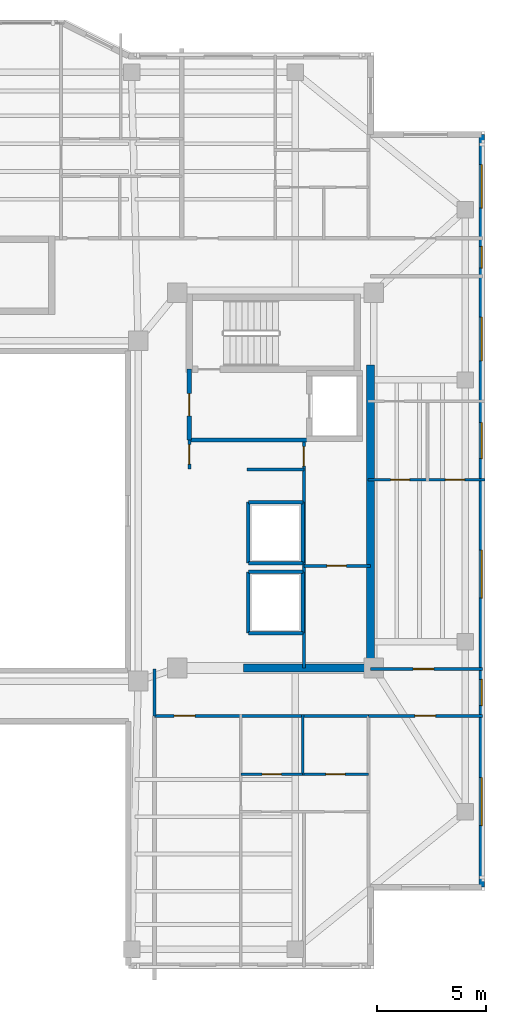
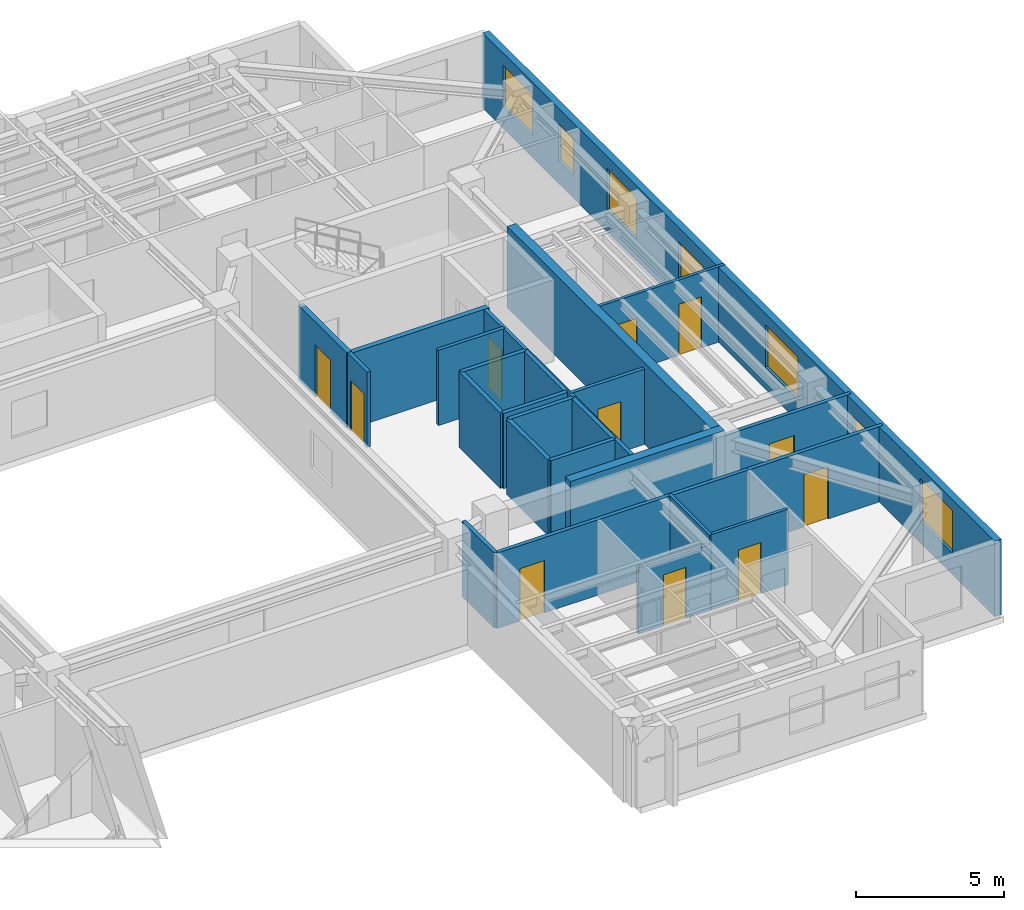
# One storey, part 6 of 12: 25 walls, 11 doors, 7 windows, 18 openings.
"""IFC4 building model written with IfcOpenShell, lengths in metres."""

from ifc_helpers import new_model, si_unit, direction, frame, frame_2d, origin, place, context, subcontext, project, spatial, rectangle, extrude, material, layer, layer_set, type_object, element, fill, save


model = new_model("IFC4")

# Units and contexts
model_context = context("Model", 3, precision=1e-05, world=origin(), true_north=direction((0.0, 1.0)))
body_context = subcontext(model_context, "Body", "Model", "MODEL_VIEW")
ifc_project = project(units=[si_unit("LENGTHUNIT", "METRE"), si_unit("AREAUNIT", "SQUARE_METRE"), si_unit("VOLUMEUNIT", "CUBIC_METRE"), si_unit("PLANEANGLEUNIT", "RADIAN"), si_unit("MASSUNIT", "GRAM", prefix="KILO")], contexts=[model_context])

# Site, building, storey
site_placement = place(None, origin())
site = spatial("IfcSite", under=ifc_project, at=site_placement, CompositionType="ELEMENT")
building_placement = place(site_placement, origin())
building = spatial("IfcBuilding", under=site, at=building_placement, Name="Tarnavaz Court Tower", CompositionType="ELEMENT")
storey_placement = place(building_placement, frame((0.0, 0.0, 200.300048828125)))
storey = spatial("IfcBuildingStorey", under=building, at=storey_placement, Name="L54", CompositionType="ELEMENT", Elevation=200.300048828125)

# Walls
ifc_material_1 = material(Name="Concrete C50/60", Category="concrete")
ifc_layer_1 = layer(ifc_material_1, 0.35009765625)
ifc_layer_set_1 = layer_set([ifc_layer_1], Name="Concrete C50/60")
wall_type_1 = type_object("IfcWallType", Name="WL-CORE-350-C50", PredefinedType="SHEAR", material=ifc_layer_set_1)
wall_1_placement = place(storey_placement, frame((18.449951171875, -7.375, 0.0), z_axis=(0.0, 0.0, 1.0), x_axis=(0.0, 1.0, 0.0)))
element("IfcWall", 1, at=wall_1_placement, inside=storey, type_object=wall_type_1, Name="L54 East Core Shear Wall 047", PredefinedType="SHEAR", context=body_context, shape_type="SweptSolid", body=[
    extrude(rectangle(XDim=14.050048828125, YDim=0.35009765625, at=frame_2d((7.02490234375, 0.0))), origin(), (0.0, 0.0, 1.0), 3.349853515625),
])
wall_2_placement = place(storey_placement, frame((12.625, -7.199951171875, 0.0), z_axis=(0.0, 0.0, 1.0), x_axis=(1.0, 0.0, 0.0)))
element("IfcWall", 2, at=wall_2_placement, inside=storey, type_object=wall_type_1, Name="L54 East Core South Shear Wall 048", PredefinedType="SHEAR", context=body_context, shape_type="SweptSolid", body=[
    extrude(rectangle(XDim=6.0, YDim=0.35009765625, at=frame_2d((3.0, 0.0))), origin(), (0.0, 0.0, 1.0), 3.349853515625),
])

# Wall, openings, windows
ifc_material_2 = material(Name="Precast Concrete C40/50", Category="concrete")
ifc_layer_2 = layer(ifc_material_2, 0.260009765625)
ifc_layer_set_2 = layer_set([ifc_layer_2], Name="Precast Concrete C40/50")
wall_type_2 = type_object("IfcWallType", Name="WL-EXT-260", PredefinedType="SOLIDWALL", material=ifc_layer_set_2)
wall_3_placement = place(storey_placement, frame((23.550048828125, 17.25, 0.0), z_axis=(0.0, 0.0, 1.0), x_axis=(0.0, -1.0, 0.0)))
wall_3 = element("IfcWall", 3, at=wall_3_placement, inside=storey, type_object=wall_type_2, Name="L54 Exterior Terracotta Facade Wall 12", PredefinedType="SOLIDWALL", context=body_context, shape_type="SweptSolid", body=[
    extrude(rectangle(XDim=34.5, YDim=0.260009765625, at=frame_2d((17.25, 0.0))), origin(), (0.0, 0.0, 1.0), 3.099853515625),
])
opening_1_placement = place(wall_3_placement, frame((1.375, 0.0, 0.89990234375)))
opening_1 = element("IfcOpeningElement", 4, at=opening_1_placement, cuts=wall_3, Name="Opening W08", PredefinedType="OPENING", context=body_context, shape_type="SweptSolid", body=[
    extrude(rectangle(XDim=2.0, YDim=1.699951171875, at=frame_2d((1.0, 0.85009765625))), frame((0.0, 0.139892578125, 0.0), z_axis=(0.0, -1.0, 0.0), x_axis=(1.0, 0.0, 0.0)), (0.0, 0.0, 1.0), 0.280029296875),
])
opening_2_placement = place(wall_3_placement, frame((5.125, 0.0, 0.949951171875)))
opening_2 = element("IfcOpeningElement", 5, at=opening_2_placement, cuts=wall_3, Name="Opening W14", PredefinedType="OPENING", context=body_context, shape_type="SweptSolid", body=[
    extrude(rectangle(XDim=1.0, YDim=1.5, at=frame_2d((0.5, 0.75))), frame((0.0, 0.139892578125, 0.0), z_axis=(0.0, -1.0, 0.0), x_axis=(1.0, 0.0, 0.0)), (0.0, 0.0, 1.0), 0.280029296875),
])
opening_3_placement = place(wall_3_placement, frame((8.375, 0.0, 0.89990234375)))
opening_3 = element("IfcOpeningElement", 6, at=opening_3_placement, cuts=wall_3, Name="Opening W08", PredefinedType="OPENING", context=body_context, shape_type="SweptSolid", body=[
    extrude(rectangle(XDim=2.0, YDim=1.699951171875, at=frame_2d((1.0, 0.85009765625))), frame((0.0, 0.139892578125, 0.0), z_axis=(0.0, -1.0, 0.0), x_axis=(1.0, 0.0, 0.0)), (0.0, 0.0, 1.0), 0.280029296875),
])
opening_4_placement = place(wall_3_placement, frame((13.199951171875, 0.0, 0.89990234375)))
opening_4 = element("IfcOpeningElement", 7, at=opening_4_placement, cuts=wall_3, Name="Opening W02", PredefinedType="OPENING", context=body_context, shape_type="SweptSolid", body=[
    extrude(rectangle(XDim=1.64990234375, YDim=1.60009765625, at=frame_2d((0.824951171875, 0.800048828125))), frame((0.0, 0.139892578125, 0.0), z_axis=(0.0, -1.0, 0.0), x_axis=(1.0, 0.0, 0.0)), (0.0, 0.0, 1.0), 0.280029296875),
])
opening_5_placement = place(wall_3_placement, frame((19.050048828125, 0.0, 0.89990234375)))
opening_5 = element("IfcOpeningElement", 8, at=opening_5_placement, cuts=wall_3, Name="Opening W07", PredefinedType="OPENING", context=body_context, shape_type="SweptSolid", body=[
    extrude(rectangle(XDim=2.199951171875, YDim=1.75, at=frame_2d((1.10009765625, 0.875))), frame((0.0, 0.139892578125, 0.0), z_axis=(0.0, -1.0, 0.0), x_axis=(1.0, 0.0, 0.0)), (0.0, 0.0, 1.0), 0.280029296875),
])
opening_6_placement = place(wall_3_placement, frame((24.97509765625, 0.0, 0.949951171875)))
opening_6 = element("IfcOpeningElement", 9, at=opening_6_placement, cuts=wall_3, Name="Opening W05", PredefinedType="OPENING", context=body_context, shape_type="SweptSolid", body=[
    extrude(rectangle(XDim=1.199951171875, YDim=1.5, at=frame_2d((0.60009765625, 0.75))), frame((0.0, 0.139892578125, 0.0), z_axis=(0.0, -1.0, 0.0), x_axis=(1.0, 0.0, 0.0)), (0.0, 0.0, 1.0), 0.280029296875),
])
opening_7_placement = place(wall_3_placement, frame((29.47509765625, 0.0, 0.89990234375)))
opening_7 = element("IfcOpeningElement", 10, at=opening_7_placement, cuts=wall_3, Name="Opening W07", PredefinedType="OPENING", context=body_context, shape_type="SweptSolid", body=[
    extrude(rectangle(XDim=2.199951171875, YDim=1.75, at=frame_2d((1.10009765625, 0.875))), frame((0.0, 0.139892578125, 0.0), z_axis=(0.0, -1.0, 0.0), x_axis=(1.0, 0.0, 0.0)), (0.0, 0.0, 1.0), 0.280029296875),
])
ifc_material_3 = material(Name="Double-Glazed Solar Low-E Glass", Category="glass")
window_type_1 = type_object("IfcWindowType", Name="WN-APT-1000", PartitioningType="SINGLE_PANEL", PredefinedType="WINDOW", material=ifc_material_3)
window_1_placement = place(opening_2_placement, origin())
window_1 = element("IfcWindow", 11, at=window_1_placement, inside=storey, type_object=window_type_1, Name="L54 North-East Corner Corridor Window", OverallHeight=1.5, OverallWidth=1.0, PartitioningType="SINGLE_PANEL", PredefinedType="WINDOW", context=body_context, shape_type="SweptSolid", body=[
    extrude(rectangle(XDim=1.0, YDim=1.5, at=frame_2d((0.5, 0.75))), frame((0.0, 0.030029296875, 0.0), z_axis=(0.0, -1.0, 0.0), x_axis=(1.0, 0.0, 0.0)), (0.0, 0.0, 1.0), 0.06005859375),
])
fill(opening_2, window_1)
window_type_2 = type_object("IfcWindowType", Name="WN-APT-1200", PartitioningType="SINGLE_PANEL", PredefinedType="WINDOW", material=ifc_material_3)
window_2_placement = place(opening_6_placement, origin())
window_2 = element("IfcWindow", 12, at=window_2_placement, inside=storey, type_object=window_type_2, Name="L54 South-East Corner Corridor Window", OverallHeight=1.5, OverallWidth=1.199951171875, PartitioningType="SINGLE_PANEL", PredefinedType="WINDOW", context=body_context, shape_type="SweptSolid", body=[
    extrude(rectangle(XDim=1.199951171875, YDim=1.5, at=frame_2d((0.60009765625, 0.75))), frame((0.0, 0.030029296875, 0.0), z_axis=(0.0, -1.0, 0.0), x_axis=(1.0, 0.0, 0.0)), (0.0, 0.0, 1.0), 0.06005859375),
])
fill(opening_6, window_2)
window_type_3 = type_object("IfcWindowType", Name="WN-APT-1650", PartitioningType="DOUBLE_PANEL_VERTICAL", PredefinedType="WINDOW", material=ifc_material_3)
window_3_placement = place(opening_4_placement, origin())
window_3 = element("IfcWindow", 13, at=window_3_placement, inside=storey, type_object=window_type_3, Name="L54 Flat 08 Bathroom Window", OverallHeight=1.60009765625, OverallWidth=1.64990234375, PartitioningType="SINGLE_PANEL", PredefinedType="WINDOW", context=body_context, shape_type="SweptSolid", body=[
    extrude(rectangle(XDim=1.64990234375, YDim=1.60009765625, at=frame_2d((0.824951171875, 0.800048828125))), frame((0.0, 0.030029296875, 0.0), z_axis=(0.0, -1.0, 0.0), x_axis=(1.0, 0.0, 0.0)), (0.0, 0.0, 1.0), 0.06005859375),
])
fill(opening_4, window_3)
window_type_4 = type_object("IfcWindowType", Name="WN-APT-2000", PartitioningType="DOUBLE_PANEL_VERTICAL", PredefinedType="WINDOW", material=ifc_material_3)
window_4_placement = place(opening_1_placement, origin())
window_4 = element("IfcWindow", 14, at=window_4_placement, inside=storey, type_object=window_type_4, Name="L54 North-East Corner Sunroom Study Window", OverallHeight=1.699951171875, OverallWidth=2.0, PartitioningType="SINGLE_PANEL", PredefinedType="WINDOW", context=body_context, shape_type="SweptSolid", body=[
    extrude(rectangle(XDim=2.0, YDim=1.699951171875, at=frame_2d((1.0, 0.85009765625))), frame((0.0, 0.030029296875, 0.0), z_axis=(0.0, -1.0, 0.0), x_axis=(1.0, 0.0, 0.0)), (0.0, 0.0, 1.0), 0.06005859375),
])
fill(opening_1, window_4)
window_5_placement = place(opening_3_placement, origin())
window_5 = element("IfcWindow", 15, at=window_5_placement, inside=storey, type_object=window_type_4, Name="L54 Flat 08 Study Room Window", OverallHeight=1.699951171875, OverallWidth=2.0, PartitioningType="SINGLE_PANEL", PredefinedType="WINDOW", context=body_context, shape_type="SweptSolid", body=[
    extrude(rectangle(XDim=2.0, YDim=1.699951171875, at=frame_2d((1.0, 0.85009765625))), frame((0.0, 0.030029296875, 0.0), z_axis=(0.0, -1.0, 0.0), x_axis=(1.0, 0.0, 0.0)), (0.0, 0.0, 1.0), 0.06005859375),
])
fill(opening_3, window_5)
window_type_5 = type_object("IfcWindowType", Name="WN-APT-2200", PartitioningType="TRIPLE_PANEL_VERTICAL", PredefinedType="WINDOW", material=ifc_material_3)
window_6_placement = place(opening_5_placement, origin())
window_6 = element("IfcWindow", 16, at=window_6_placement, inside=storey, type_object=window_type_5, Name="L54 Flat 08 Studio Living and Sleeping Room Window", OverallHeight=1.75, OverallWidth=2.199951171875, PartitioningType="SINGLE_PANEL", PredefinedType="WINDOW", context=body_context, shape_type="SweptSolid", body=[
    extrude(rectangle(XDim=2.199951171875, YDim=1.75, at=frame_2d((1.10009765625, 0.875))), frame((0.0, 0.030029296875, 0.0), z_axis=(0.0, -1.0, 0.0), x_axis=(1.0, 0.0, 0.0)), (0.0, 0.0, 1.0), 0.06005859375),
])
fill(opening_5, window_6)
window_7_placement = place(opening_7_placement, origin())
window_7 = element("IfcWindow", 17, at=window_7_placement, inside=storey, type_object=window_type_5, Name="L54 South-East Corner Reading Room Window", OverallHeight=1.75, OverallWidth=2.199951171875, PartitioningType="SINGLE_PANEL", PredefinedType="WINDOW", context=body_context, shape_type="SweptSolid", body=[
    extrude(rectangle(XDim=2.199951171875, YDim=1.75, at=frame_2d((1.10009765625, 0.875))), frame((0.0, 0.030029296875, 0.0), z_axis=(0.0, -1.0, 0.0), x_axis=(1.0, 0.0, 0.0)), (0.0, 0.0, 1.0), 0.06005859375),
])
fill(opening_7, window_7)

# Wall, opening, door
ifc_material_4 = material(Name="Gypsum Fire-Board on Acoustic Metal Stud", Category="masonry")
ifc_layer_3 = layer(ifc_material_4, 0.14990234375)
ifc_layer_set_3 = layer_set([ifc_layer_3], Name="Gypsum Fire-Board on Acoustic Metal Stud")
wall_type_3 = type_object("IfcWallType", Name="WL-FIRE-150", PredefinedType="PARTITIONING", material=ifc_layer_set_3)
wall_4_placement = place(storey_placement, frame((8.550048828125, -9.39990234375, 0.0), z_axis=(0.0, 0.0, 1.0), x_axis=(1.0, 0.0, 0.0)))
wall_4 = element("IfcWall", 18, at=wall_4_placement, inside=storey, type_object=wall_type_3, Name="L54 SE Lobby Wall 057", PredefinedType="PARTITIONING", context=body_context, shape_type="SweptSolid", body=[
    extrude(rectangle(XDim=9.800048828125, YDim=0.14990234375, at=frame_2d((4.89990234375, 0.0))), origin(), (0.0, 0.0, 1.0), 3.099853515625),
])
opening_8_placement = place(wall_4_placement, frame((0.89990234375, 0.0, 0.0)))
opening_8 = element("IfcOpeningElement", 19, at=opening_8_placement, cuts=wall_4, Name="Opening D06", PredefinedType="OPENING", context=body_context, shape_type="SweptSolid", body=[
    extrude(rectangle(XDim=0.9599609375, YDim=2.14990234375, at=frame_2d((0.47998046875, 1.074951171875))), frame((0.0, 0.0849609375, 0.0), z_axis=(0.0, -1.0, 0.0), x_axis=(1.0, 0.0, 0.0)), (0.0, 0.0, 1.0), 0.169921875),
])
ifc_material_5 = material(Name="Fire-Rated Hardwood Timber Core", Category="wood")
door_type_1 = type_object("IfcDoorType", Name="DR-FD60-950", OperationType="NOTDEFINED", PredefinedType="DOOR", material=ifc_material_5)
door_1_placement = place(opening_8_placement, origin())
door_1 = element("IfcDoor", 20, at=door_1_placement, inside=storey, type_object=door_type_1, Name="L54 Flat 06 Entrance Door", OperationType="SINGLE_SWING_RIGHT", OverallHeight=2.14990234375, OverallWidth=0.9599609375, PredefinedType="DOOR", context=body_context, shape_type="SweptSolid", body=[
    extrude(rectangle(XDim=0.9599609375, YDim=2.14990234375, at=frame_2d((0.47998046875, 1.074951171875))), frame((0.0, 0.02490234375, 0.0), z_axis=(0.0, -1.0, 0.0), x_axis=(1.0, 0.0, 0.0)), (0.0, 0.0, 1.0), 0.050048828125),
])
fill(opening_8, door_1)

# Wall
wall_5_placement = place(storey_placement, frame((8.550048828125, -9.39990234375, 0.0), z_axis=(0.0, 0.0, 1.0), x_axis=(0.0, 1.0, 0.0)))
element("IfcWall", 21, at=wall_5_placement, inside=storey, type_object=wall_type_3, Name="L54 East Spine End Wall 059", PredefinedType="PARTITIONING", context=body_context, shape_type="SweptSolid", body=[
    extrude(rectangle(XDim=2.14990234375, YDim=0.14990234375, at=frame_2d((1.074951171875, 0.0))), origin(), (0.0, 0.0, 1.0), 3.099853515625),
])

# Wall, opening, door
wall_6_placement = place(storey_placement, frame((18.449951171875, -7.25, 0.0), z_axis=(0.0, 0.0, 1.0), x_axis=(1.0, 0.0, 0.0)))
wall_6 = element("IfcWall", 22, at=wall_6_placement, inside=storey, type_object=wall_type_3, Name="L54 Interior Partition 101", PredefinedType="PARTITIONING", context=body_context, shape_type="SweptSolid", body=[
    extrude(rectangle(XDim=5.130126953125, YDim=0.14990234375, at=frame_2d((2.56494140625, 0.0))), origin(), (0.0, 0.0, 1.0), 3.099853515625),
])
opening_9_placement = place(wall_6_placement, frame((1.949951171875, 0.0, 0.0)))
opening_9 = element("IfcOpeningElement", 23, at=opening_9_placement, cuts=wall_6, Name="Opening D06", PredefinedType="OPENING", context=body_context, shape_type="SweptSolid", body=[
    extrude(rectangle(XDim=0.9599609375, YDim=2.14990234375, at=frame_2d((0.47998046875, 1.074951171875))), frame((0.0, 0.0849609375, 0.0), z_axis=(0.0, -1.0, 0.0), x_axis=(1.0, 0.0, 0.0)), (0.0, 0.0, 1.0), 0.169921875),
])
door_2_placement = place(opening_9_placement, origin())
door_2 = element("IfcDoor", 24, at=door_2_placement, inside=storey, type_object=door_type_1, Name="L54 Flat 08 Entrance Door", OperationType="SINGLE_SWING_RIGHT", OverallHeight=2.14990234375, OverallWidth=0.9599609375, PredefinedType="DOOR", context=body_context, shape_type="SweptSolid", body=[
    extrude(rectangle(XDim=0.9599609375, YDim=2.14990234375, at=frame_2d((0.47998046875, 1.074951171875))), frame((0.0, 0.02490234375, 0.0), z_axis=(0.0, -1.0, 0.0), x_axis=(1.0, 0.0, 0.0)), (0.0, 0.0, 1.0), 0.050048828125),
])
fill(opening_9, door_2)

wall_7_placement = place(storey_placement, frame((18.35009765625, -9.39990234375, 0.0), z_axis=(0.0, 0.0, 1.0), x_axis=(1.0, 0.0, 0.0)))
wall_7 = element("IfcWall", 25, at=wall_7_placement, inside=storey, type_object=wall_type_3, Name="L54 Interior Partition 110", PredefinedType="PARTITIONING", context=body_context, shape_type="SweptSolid", body=[
    extrude(rectangle(XDim=5.22998046875, YDim=0.14990234375, at=frame_2d((2.614990234375, 0.0))), origin(), (0.0, 0.0, 1.0), 3.099853515625),
])
opening_10_placement = place(wall_7_placement, frame((2.139892578125, 0.0, 0.0)))
opening_10 = element("IfcOpeningElement", 26, at=opening_10_placement, cuts=wall_7, Name="Opening D13", PredefinedType="OPENING", context=body_context, shape_type="SweptSolid", body=[
    extrude(rectangle(XDim=0.949951171875, YDim=2.14990234375, at=frame_2d((0.47509765625, 1.074951171875))), frame((0.0, 0.0849609375, 0.0), z_axis=(0.0, -1.0, 0.0), x_axis=(1.0, 0.0, 0.0)), (0.0, 0.0, 1.0), 0.169921875),
])
ifc_material_6 = material(Name="Engineered Oak Timber", Category="wood")
door_type_2 = type_object("IfcDoorType", Name="DR-INT-950", OperationType="NOTDEFINED", PredefinedType="DOOR", material=ifc_material_6)
door_3_placement = place(opening_10_placement, origin())
door_3 = element("IfcDoor", 27, at=door_3_placement, inside=storey, type_object=door_type_2, Name="L54 SE Reading Room Door", OperationType="SINGLE_SWING_LEFT", OverallHeight=2.14990234375, OverallWidth=0.949951171875, PredefinedType="DOOR", context=body_context, shape_type="SweptSolid", body=[
    extrude(rectangle(XDim=0.949951171875, YDim=2.14990234375, at=frame_2d((0.47509765625, 1.074951171875))), frame((0.0, 0.02490234375, 0.0), z_axis=(0.0, -1.0, 0.0), x_axis=(1.0, 0.0, 0.0)), (0.0, 0.0, 1.0), 0.050048828125),
])
fill(opening_10, door_3)

# Wall
ifc_material_7 = material(Name="Autoclaved Aerated Concrete Blockwork", Category="masonry")
ifc_layer_4 = layer(ifc_material_7, 0.199951171875)
ifc_layer_set_4 = layer_set([ifc_layer_4], Name="Autoclaved Aerated Concrete Blockwork")
wall_type_4 = type_object("IfcWallType", Name="WL-FIRE-200", PredefinedType="SOLIDWALL", material=ifc_layer_set_4)
wall_8_placement = place(storey_placement, frame((10.14990234375, 3.25, 0.0), z_axis=(0.0, 0.0, 1.0), x_axis=(1.0, 0.0, 0.0)))
element("IfcWall", 28, at=wall_8_placement, inside=storey, type_object=wall_type_4, Name="L54 East Firefighting Lobby Wall 015", PredefinedType="SOLIDWALL", context=body_context, shape_type="SweptSolid", body=[
    extrude(rectangle(XDim=5.400146484375, YDim=0.199951171875, at=frame_2d((2.7001953125, 0.0))), origin(), (0.0, 0.0, 1.0), 3.099853515625),
])

# Wall, opening, door
wall_9_placement = place(storey_placement, frame((10.14990234375, 3.25, 0.0), z_axis=(0.0, 0.0, 1.0), x_axis=(0.0, 1.0, 0.0)))
wall_9 = element("IfcWall", 29, at=wall_9_placement, inside=storey, type_object=wall_type_4, Name="L54 East Firefighting Lobby Wall 016", PredefinedType="SOLIDWALL", context=body_context, shape_type="SweptSolid", body=[
    extrude(rectangle(XDim=3.25, YDim=0.199951171875, at=frame_2d((1.625, 0.0))), origin(), (0.0, 0.0, 1.0), 3.099853515625),
])
opening_11_placement = place(wall_9_placement, frame((1.10009765625, 0.0, 0.0)))
opening_11 = element("IfcOpeningElement", 30, at=opening_11_placement, cuts=wall_9, Name="Opening D05", PredefinedType="OPENING", context=body_context, shape_type="SweptSolid", body=[
    extrude(rectangle(XDim=1.02001953125, YDim=2.14990234375, at=frame_2d((0.510009765625, 1.074951171875))), frame((0.0, 0.10986328125, 0.0), z_axis=(0.0, -1.0, 0.0), x_axis=(1.0, 0.0, 0.0)), (0.0, 0.0, 1.0), 0.219970703125),
])
door_type_3 = type_object("IfcDoorType", Name="DR-FD60-1000", OperationType="NOTDEFINED", PredefinedType="DOOR", material=ifc_material_5)
door_4_placement = place(opening_11_placement, origin())
door_4 = element("IfcDoor", 31, at=door_4_placement, inside=storey, type_object=door_type_3, Name="L54 East Firefighting Lobby Door", OperationType="SINGLE_SWING_LEFT", OverallHeight=2.14990234375, OverallWidth=1.02001953125, PredefinedType="DOOR", context=body_context, shape_type="SweptSolid", body=[
    extrude(rectangle(XDim=1.02001953125, YDim=2.14990234375, at=frame_2d((0.510009765625, 1.074951171875))), frame((0.0, 0.02490234375, 0.0), z_axis=(0.0, -1.0, 0.0), x_axis=(1.0, 0.0, 0.0)), (0.0, 0.0, 1.0), 0.050048828125),
])
fill(opening_11, door_4)

ifc_material_8 = material(Name="Moisture-Resistant Gypsum Board Partition", Category="masonry")
ifc_layer_5 = layer(ifc_material_8, 0.1201171875)
ifc_layer_set_5 = layer_set([ifc_layer_5], Name="Moisture-Resistant Gypsum Board Partition")
wall_type_5 = type_object("IfcWallType", Name="WL-PART-120", PredefinedType="PARTITIONING", material=ifc_layer_set_5)
wall_10_placement = place(storey_placement, frame((12.511962890625, -12.080078125, 0.0), z_axis=(0.0, 0.0, 1.0), x_axis=(1.0, 0.0, 0.0)))
wall_10 = element("IfcWall", 32, at=wall_10_placement, inside=storey, type_object=wall_type_5, Name="L54 Interior Partition 092", PredefinedType="PARTITIONING", context=body_context, shape_type="SweptSolid", body=[
    extrude(rectangle(XDim=2.8310546875, YDim=0.1201171875, at=frame_2d((1.41552734375, 0.0))), origin(), (0.0, 0.0, 1.0), 2.724853515625),
])
opening_12_placement = place(wall_10_placement, frame((0.97509765625, 0.0, 0.0)))
opening_12 = element("IfcOpeningElement", 33, at=opening_12_placement, cuts=wall_10, Name="Opening D14", PredefinedType="OPENING", context=body_context, shape_type="SweptSolid", body=[
    extrude(rectangle(XDim=0.8798828125, YDim=2.10009765625, at=frame_2d((0.43994140625, 1.050048828125))), frame((0.0, 0.070068359375, 0.0), z_axis=(0.0, -1.0, 0.0), x_axis=(1.0, 0.0, 0.0)), (0.0, 0.0, 1.0), 0.14013671875),
])
door_type_4 = type_object("IfcDoorType", Name="DR-INT-900", OperationType="NOTDEFINED", PredefinedType="DOOR", material=ifc_material_6)
door_5_placement = place(opening_12_placement, origin())
door_5 = element("IfcDoor", 34, at=door_5_placement, inside=storey, type_object=door_type_4, Name="L54 Flat 06 Kitchen Door", OperationType="SINGLE_SWING_RIGHT", OverallHeight=2.10009765625, OverallWidth=0.8798828125, PredefinedType="DOOR", context=body_context, shape_type="SweptSolid", body=[
    extrude(rectangle(XDim=0.8798828125, YDim=2.10009765625, at=frame_2d((0.43994140625, 1.050048828125))), frame((0.0, 0.02490234375, 0.0), z_axis=(0.0, -1.0, 0.0), x_axis=(1.0, 0.0, 0.0)), (0.0, 0.0, 1.0), 0.050048828125),
])
fill(opening_12, door_5)

wall_11_placement = place(storey_placement, frame((15.343017578125, -12.080078125, 0.0), z_axis=(0.0, 0.0, 1.0), x_axis=(1.0, 0.0, 0.0)))
wall_11 = element("IfcWall", 35, at=wall_11_placement, inside=storey, type_object=wall_type_5, Name="L54 Interior Partition 093", PredefinedType="PARTITIONING", context=body_context, shape_type="SweptSolid", body=[
    extrude(rectangle(XDim=3.007080078125, YDim=0.1201171875, at=frame_2d((1.50341796875, 0.0))), origin(), (0.0, 0.0, 1.0), 3.099853515625),
])
opening_13_placement = place(wall_11_placement, frame((1.06396484375, 0.0, 0.0)))
opening_13 = element("IfcOpeningElement", 36, at=opening_13_placement, cuts=wall_11, Name="Opening D14", PredefinedType="OPENING", context=body_context, shape_type="SweptSolid", body=[
    extrude(rectangle(XDim=0.8798828125, YDim=2.10009765625, at=frame_2d((0.43994140625, 1.050048828125))), frame((0.0, 0.070068359375, 0.0), z_axis=(0.0, -1.0, 0.0), x_axis=(1.0, 0.0, 0.0)), (0.0, 0.0, 1.0), 0.14013671875),
])
door_6_placement = place(opening_13_placement, origin())
door_6 = element("IfcDoor", 37, at=door_6_placement, inside=storey, type_object=door_type_4, Name="L54 Flat 06 Bathroom Door", OperationType="SINGLE_SWING_LEFT", OverallHeight=2.10009765625, OverallWidth=0.8798828125, PredefinedType="DOOR", context=body_context, shape_type="SweptSolid", body=[
    extrude(rectangle(XDim=0.8798828125, YDim=2.10009765625, at=frame_2d((0.43994140625, 1.050048828125))), frame((0.0, 0.02490234375, 0.0), z_axis=(0.0, -1.0, 0.0), x_axis=(1.0, 0.0, 0.0)), (0.0, 0.0, 1.0), 0.050048828125),
])
fill(opening_13, door_6)

# Wall
wall_12_placement = place(storey_placement, frame((15.343017578125, -12.139892578125, 0.0), z_axis=(0.0, 0.0, 1.0), x_axis=(0.0, 1.0, 0.0)))
element("IfcWall", 38, at=wall_12_placement, inside=storey, type_object=wall_type_5, Name="L54 Interior Partition 095", PredefinedType="PARTITIONING", context=body_context, shape_type="SweptSolid", body=[
    extrude(rectangle(XDim=2.7998046875, YDim=0.1201171875, at=frame_2d((1.39990234375, 0.0))), origin(), (0.0, 0.0, 1.0), 3.099853515625),
])

# Wall, openings, doors
wall_13_placement = place(storey_placement, frame((18.330078125, 1.419921875, 0.0), z_axis=(0.0, 0.0, 1.0), x_axis=(1.0, 0.0, 0.0)))
wall_13 = element("IfcWall", 39, at=wall_13_placement, inside=storey, type_object=wall_type_5, Name="L54 Interior Partition 114", PredefinedType="PARTITIONING", context=body_context, shape_type="SweptSolid", body=[
    extrude(rectangle(XDim=5.369873046875, YDim=0.1201171875, at=frame_2d((2.68505859375, 0.0))), origin(), (0.0, 0.0, 1.0), 3.099853515625),
])
opening_14_placement = place(wall_13_placement, frame((1.0380859375, 0.0, 0.0)))
opening_14 = element("IfcOpeningElement", 40, at=opening_14_placement, cuts=wall_13, Name="Opening D14", PredefinedType="OPENING", context=body_context, shape_type="SweptSolid", body=[
    extrude(rectangle(XDim=0.8798828125, YDim=2.10009765625, at=frame_2d((0.43994140625, 1.050048828125))), frame((0.0, 0.070068359375, 0.0), z_axis=(0.0, -1.0, 0.0), x_axis=(1.0, 0.0, 0.0)), (0.0, 0.0, 1.0), 0.14013671875),
])
opening_15_placement = place(wall_13_placement, frame((3.552978515625, 0.0, 0.0)))
opening_15 = element("IfcOpeningElement", 41, at=opening_15_placement, cuts=wall_13, Name="Opening D14", PredefinedType="OPENING", context=body_context, shape_type="SweptSolid", body=[
    extrude(rectangle(XDim=0.8798828125, YDim=2.10009765625, at=frame_2d((0.43994140625, 1.050048828125))), frame((0.0, 0.070068359375, 0.0), z_axis=(0.0, -1.0, 0.0), x_axis=(1.0, 0.0, 0.0)), (0.0, 0.0, 1.0), 0.14013671875),
])
door_7_placement = place(opening_14_placement, origin())
door_7 = element("IfcDoor", 42, at=door_7_placement, inside=storey, type_object=door_type_4, Name="L54 Flat 08 Kitchen Door", OperationType="SINGLE_SWING_LEFT", OverallHeight=2.10009765625, OverallWidth=0.8798828125, PredefinedType="DOOR", context=body_context, shape_type="SweptSolid", body=[
    extrude(rectangle(XDim=0.8798828125, YDim=2.10009765625, at=frame_2d((0.43994140625, 1.050048828125))), frame((0.0, 0.02490234375, 0.0), z_axis=(0.0, -1.0, 0.0), x_axis=(1.0, 0.0, 0.0)), (0.0, 0.0, 1.0), 0.050048828125),
])
fill(opening_14, door_7)
door_8_placement = place(opening_15_placement, origin())
door_8 = element("IfcDoor", 43, at=door_8_placement, inside=storey, type_object=door_type_4, Name="L54 Flat 08 Bathroom Door", OperationType="SINGLE_SWING_RIGHT", OverallHeight=2.10009765625, OverallWidth=0.8798828125, PredefinedType="DOOR", context=body_context, shape_type="SweptSolid", body=[
    extrude(rectangle(XDim=0.8798828125, YDim=2.10009765625, at=frame_2d((0.43994140625, 1.050048828125))), frame((0.0, 0.02490234375, 0.0), z_axis=(0.0, -1.0, 0.0), x_axis=(1.0, 0.0, 0.0)), (0.0, 0.0, 1.0), 0.050048828125),
])
fill(opening_15, door_8)

# Wall
ifc_material_9 = material(Name="Gypsum Plasterboard Acoustic Partition", Category="masonry")
ifc_layer_6 = layer(ifc_material_9, 0.139892578125)
ifc_layer_set_6 = layer_set([ifc_layer_6], Name="Gypsum Plasterboard Acoustic Partition")
wall_type_6 = type_object("IfcWallType", Name="WL-PART-150", PredefinedType="PARTITIONING", material=ifc_layer_set_6)
wall_14_placement = place(storey_placement, frame((12.800048828125, 1.89990234375, 0.0), z_axis=(0.0, 0.0, 1.0), x_axis=(1.0, 0.0, 0.0)))
element("IfcWall", 44, at=wall_14_placement, inside=storey, type_object=wall_type_6, Name="L54 Interior Partition 050", PredefinedType="PARTITIONING", context=body_context, shape_type="SweptSolid", body=[
    extrude(rectangle(XDim=2.599853515625, YDim=0.139892578125, at=frame_2d((1.2998046875, 0.0))), origin(), (0.0, 0.0, 1.0), 3.099853515625),
])

# Wall, opening, door
wall_15_placement = place(storey_placement, frame((10.14990234375, 1.919921875, 0.0), z_axis=(0.0, 0.0, 1.0), x_axis=(0.0, 1.0, 0.0)))
wall_15 = element("IfcWall", 45, at=wall_15_placement, inside=storey, type_object=wall_type_6, Name="L54 Interior Partition 051", PredefinedType="PARTITIONING", context=body_context, shape_type="SweptSolid", body=[
    extrude(rectangle(XDim=1.330078125, YDim=0.139892578125, at=frame_2d((0.6650390625, 0.0))), origin(), (0.0, 0.0, 1.0), 3.099853515625),
])
opening_16_placement = place(wall_15_placement, frame((0.219970703125, 0.0, 0.0)))
opening_16 = element("IfcOpeningElement", 46, at=opening_16_placement, cuts=wall_15, Name="Opening D09", PredefinedType="OPENING", context=body_context, shape_type="SweptSolid", body=[
    extrude(rectangle(XDim=0.89990234375, YDim=2.080078125, at=frame_2d((0.449951171875, 1.0400390625))), frame((0.0, 0.079833984375, 0.0), z_axis=(0.0, -1.0, 0.0), x_axis=(1.0, 0.0, 0.0)), (0.0, 0.0, 1.0), 0.159912109375),
])
door_type_5 = type_object("IfcDoorType", Name="DR-FD30-900", OperationType="NOTDEFINED", PredefinedType="DOOR", material=ifc_material_5)
door_9_placement = place(opening_16_placement, origin())
door_9 = element("IfcDoor", 47, at=door_9_placement, inside=storey, type_object=door_type_5, Name="L54 East Core Service Lobby Door", OperationType="SINGLE_SWING_LEFT", OverallHeight=2.080078125, OverallWidth=0.89990234375, PredefinedType="DOOR", context=body_context, shape_type="SweptSolid", body=[
    extrude(rectangle(XDim=0.89990234375, YDim=2.080078125, at=frame_2d((0.449951171875, 1.0400390625))), frame((0.0, 0.02490234375, 0.0), z_axis=(0.0, -1.0, 0.0), x_axis=(1.0, 0.0, 0.0)), (0.0, 0.0, 1.0), 0.050048828125),
])
fill(opening_16, door_9)

wall_16_placement = place(storey_placement, frame((15.39990234375, -7.199951171875, 0.0), z_axis=(0.0, 0.0, 1.0), x_axis=(0.0, 1.0, 0.0)))
wall_16 = element("IfcWall", 48, at=wall_16_placement, inside=storey, type_object=wall_type_6, Name="L54 Interior Partition 052", PredefinedType="PARTITIONING", context=body_context, shape_type="SweptSolid", body=[
    extrude(rectangle(XDim=10.449951171875, YDim=0.139892578125, at=frame_2d((5.22509765625, 0.0))), origin(), (0.0, 0.0, 1.0), 3.099853515625),
])
opening_17_placement = place(wall_16_placement, frame((9.25, 0.0, 0.0)))
opening_17 = element("IfcOpeningElement", 49, at=opening_17_placement, cuts=wall_16, Name="Opening D09", PredefinedType="OPENING", context=body_context, shape_type="SweptSolid", body=[
    extrude(rectangle(XDim=0.89990234375, YDim=2.080078125, at=frame_2d((0.449951171875, 1.0400390625))), frame((0.0, 0.079833984375, 0.0), z_axis=(0.0, -1.0, 0.0), x_axis=(1.0, 0.0, 0.0)), (0.0, 0.0, 1.0), 0.159912109375),
])
door_10_placement = place(opening_17_placement, origin())
door_10 = element("IfcDoor", 50, at=door_10_placement, inside=storey, type_object=door_type_5, Name="L54 East Wet Riser Door", OperationType="SINGLE_SWING_RIGHT", OverallHeight=2.080078125, OverallWidth=0.89990234375, PredefinedType="DOOR", context=body_context, shape_type="SweptSolid", body=[
    extrude(rectangle(XDim=0.89990234375, YDim=2.080078125, at=frame_2d((0.449951171875, 1.0400390625))), frame((0.0, 0.02490234375, 0.0), z_axis=(0.0, -1.0, 0.0), x_axis=(1.0, 0.0, 0.0)), (0.0, 0.0, 1.0), 0.050048828125),
])
fill(opening_17, door_10)

wall_17_placement = place(storey_placement, frame((15.39990234375, -2.52001953125, 0.0), z_axis=(0.0, 0.0, 1.0), x_axis=(1.0, 0.0, 0.0)))
wall_17 = element("IfcWall", 51, at=wall_17_placement, inside=storey, type_object=wall_type_6, Name="L54 Interior Partition 053", PredefinedType="PARTITIONING", context=body_context, shape_type="SweptSolid", body=[
    extrude(rectangle(XDim=3.050048828125, YDim=0.139892578125, at=frame_2d((1.52490234375, 0.0))), origin(), (0.0, 0.0, 1.0), 3.099853515625),
])
opening_18_placement = place(wall_17_placement, frame((1.050048828125, 0.0, 0.0)))
opening_18 = element("IfcOpeningElement", 52, at=opening_18_placement, cuts=wall_17, Name="Opening D09", PredefinedType="OPENING", context=body_context, shape_type="SweptSolid", body=[
    extrude(rectangle(XDim=0.89990234375, YDim=2.080078125, at=frame_2d((0.449951171875, 1.0400390625))), frame((0.0, 0.079833984375, 0.0), z_axis=(0.0, -1.0, 0.0), x_axis=(1.0, 0.0, 0.0)), (0.0, 0.0, 1.0), 0.159912109375),
])
door_11_placement = place(opening_18_placement, origin())
door_11 = element("IfcDoor", 53, at=door_11_placement, inside=storey, type_object=door_type_5, Name="L54 East Electrical Plant Door", OperationType="SINGLE_SWING_LEFT", OverallHeight=2.080078125, OverallWidth=0.89990234375, PredefinedType="DOOR", context=body_context, shape_type="SweptSolid", body=[
    extrude(rectangle(XDim=0.89990234375, YDim=2.080078125, at=frame_2d((0.449951171875, 1.0400390625))), frame((0.0, 0.02490234375, 0.0), z_axis=(0.0, -1.0, 0.0), x_axis=(1.0, 0.0, 0.0)), (0.0, 0.0, 1.0), 0.050048828125),
])
fill(opening_18, door_11)

# Walls
ifc_layer_7 = layer(ifc_material_7, 0.159912109375)
ifc_layer_set_7 = layer_set([ifc_layer_7], Name="Autoclaved Aerated Concrete Blockwork")
wall_type_7 = type_object("IfcWallType", Name="WL-SHAFT-150", PredefinedType="SOLIDWALL", material=ifc_layer_set_7)
for number, where, z_axis, x_axis, name in (
    (54, (12.85009765625, -5.60009765625, 0.0), (0.0, 0.0, 1.0), (0.0, 1.0, 0.0), "L54 Lift PL-OB1 Shaft Wall 037"),
    (55, (15.35009765625, -5.60009765625, 0.0), (0.0, 0.0, 1.0), (0.0, 1.0, 0.0), "L54 Lift PL-OB1 Shaft Wall 038"),
):
    element("IfcWall", number, at=place(storey_placement, frame(where, z_axis=z_axis, x_axis=x_axis)), inside=storey, type_object=wall_type_7, Name=name, PredefinedType="SOLIDWALL", context=body_context, shape_type="SweptSolid", body=[
        extrude(rectangle(XDim=2.800048828125, YDim=0.159912109375, at=frame_2d((1.39990234375, 0.0))), origin(), (0.0, 0.0, 1.0), 3.099853515625),
    ])
for number, where, z_axis, x_axis, name in (
    (56, (12.85009765625, -5.60009765625, 0.0), (0.0, 0.0, 1.0), (1.0, 0.0, 0.0), "L54 Lift PL-OB1 Shaft Wall 039"),
    (57, (12.85009765625, -2.800048828125, 0.0), (0.0, 0.0, 1.0), (1.0, 0.0, 0.0), "L54 Lift PL-OB1 Shaft Wall 040"),
):
    element("IfcWall", number, at=place(storey_placement, frame(where, z_axis=z_axis, x_axis=x_axis)), inside=storey, type_object=wall_type_7, Name=name, PredefinedType="SOLIDWALL", context=body_context, shape_type="SweptSolid", body=[
        extrude(rectangle(XDim=2.5, YDim=0.159912109375, at=frame_2d((1.25, 0.0))), origin(), (0.0, 0.0, 1.0), 3.099853515625),
    ])
for number, where, z_axis, x_axis, name in (
    (58, (12.85009765625, -2.39990234375, 0.0), (0.0, 0.0, 1.0), (0.0, 1.0, 0.0), "L54 Lift PL-OB2 Shaft Wall 041"),
    (59, (15.35009765625, -2.39990234375, 0.0), (0.0, 0.0, 1.0), (0.0, 1.0, 0.0), "L54 Lift PL-OB2 Shaft Wall 042"),
):
    element("IfcWall", number, at=place(storey_placement, frame(where, z_axis=z_axis, x_axis=x_axis)), inside=storey, type_object=wall_type_7, Name=name, PredefinedType="SOLIDWALL", context=body_context, shape_type="SweptSolid", body=[
        extrude(rectangle(XDim=2.7998046875, YDim=0.159912109375, at=frame_2d((1.39990234375, 0.0))), origin(), (0.0, 0.0, 1.0), 3.099853515625),
    ])
for number, where, z_axis, x_axis, name in (
    (60, (12.85009765625, -2.39990234375, 0.0), (0.0, 0.0, 1.0), (1.0, 0.0, 0.0), "L54 Lift PL-OB2 Shaft Wall 043"),
    (61, (12.85009765625, 0.39990234375, 0.0), (0.0, 0.0, 1.0), (1.0, 0.0, 0.0), "L54 Lift PL-OB2 Shaft Wall 044"),
):
    element("IfcWall", number, at=place(storey_placement, frame(where, z_axis=z_axis, x_axis=x_axis)), inside=storey, type_object=wall_type_7, Name=name, PredefinedType="SOLIDWALL", context=body_context, shape_type="SweptSolid", body=[
        extrude(rectangle(XDim=2.5, YDim=0.159912109375, at=frame_2d((1.25, 0.0))), origin(), (0.0, 0.0, 1.0), 3.099853515625),
    ])

save(model, "model.ifc")
